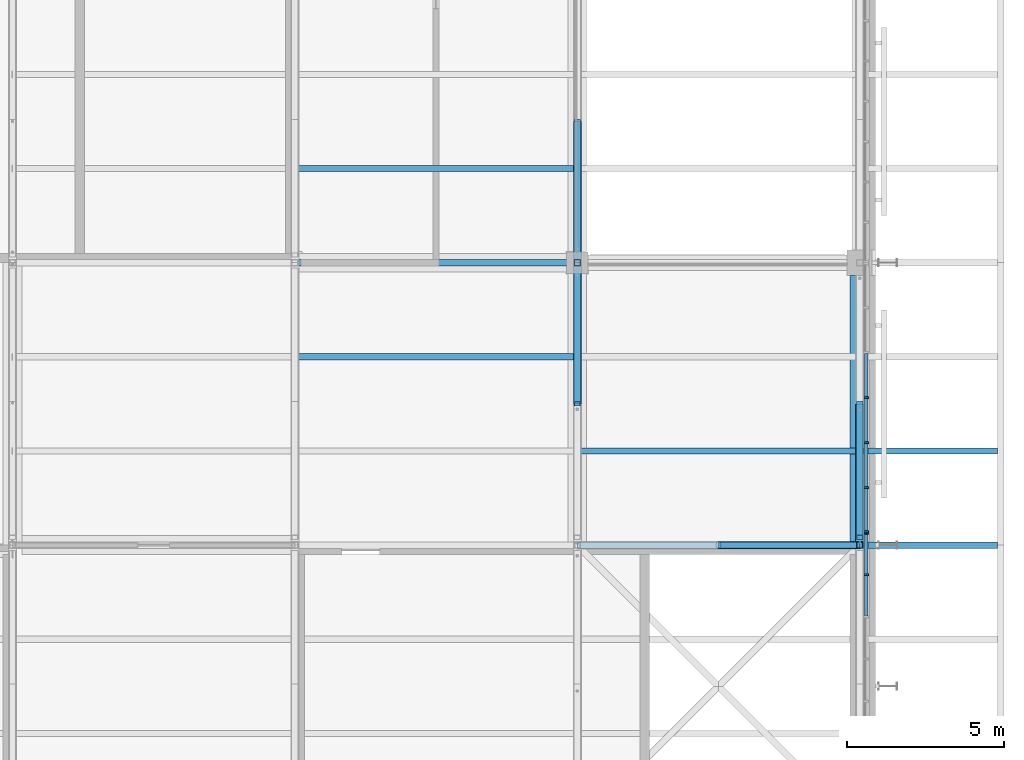
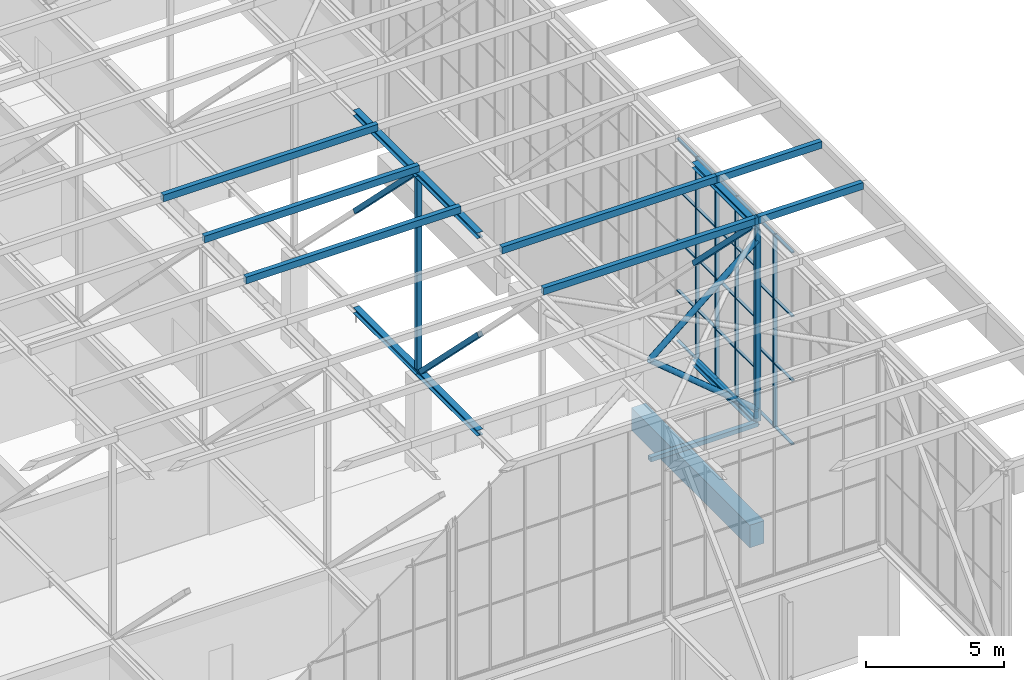
# One storey, part 88 of 646: 57 members, 1 beam, 2 elements without a shape of their own.
"""IFC4 building model written with IfcOpenShell, lengths in metres."""

from ifc_helpers import new_model, si_unit, direction, frame, origin, origin_2d, place, context, subcontext, project, spatial, rectangle, hollow_rectangle, hollow_circle, i_section, extrude, material, material_profile, profile_set, type_object, element, aggregate, save


model = new_model("IFC4")

# Units and contexts
model_context = context("Model", 3, precision=1e-05, world=origin(), true_north=direction((0.0, 1.0)))
body_context = subcontext(model_context, "Body", "Model", "MODEL_VIEW")
ifc_project = project(units=[si_unit("LENGTHUNIT", "METRE"), si_unit("AREAUNIT", "SQUARE_METRE"), si_unit("VOLUMEUNIT", "CUBIC_METRE"), si_unit("PLANEANGLEUNIT", "RADIAN"), si_unit("MASSUNIT", "GRAM", prefix="KILO")], contexts=[model_context])

# Site, building, storey
site_placement = place(None, origin())
site = spatial("IfcSite", under=ifc_project, at=site_placement, CompositionType="ELEMENT")
building_placement = place(site_placement, origin())
building = spatial("IfcBuilding", under=site, at=building_placement, Name="Silverbay Arena", CompositionType="ELEMENT")
storey_placement = place(building_placement, frame((0.0, 0.0, 33.5)))
storey = spatial("IfcBuildingStorey", under=building, at=storey_placement, Name="L05", CompositionType="ELEMENT", Elevation=33.5)

# Member
ifc_material_1 = material(Name="Steel S355", Category="steel")
ifc_material_profile_1 = material_profile(ifc_material_1, hollow_rectangle(XDim=0.199951171875, YDim=0.199951171875, WallThickness=0.008056640625, at=origin_2d()), Name="SHS 200x200x8")
ifc_profile_set_1 = profile_set([ifc_material_profile_1], Name="Steel S355")
member_type_1 = type_object("IfcMemberType", Name="Bracing strut SHS 200x200x8", PredefinedType="STRUT", material=ifc_profile_set_1)
member_1_placement = place(storey_placement, frame((202.5, 27.0, 4.126953125), z_axis=(1.0, 0.0, 0.0), x_axis=(0.0, 1.0, 0.0)))
element("IfcMember", 1, at=member_1_placement, inside=storey, type_object=member_type_1, Name="ROOF BRACING strut 23-24 line 03b", PredefinedType="STRUT", context=body_context, shape_type="SweptSolid", body=[
    extrude(hollow_rectangle(XDim=0.199951171875, YDim=0.199951171875, WallThickness=0.008056640625, at=origin_2d()), origin(), (0.0, 0.0, 1.0), 4.5),
])

# Curtain wall, members
ifc_material_2 = material(Name="Aluminium framed glazing", Category="aluminium")
curtain_wall_type_1 = type_object("IfcCurtainWallType", Name="Curtain wall clerestory 9400 x 8547", PredefinedType="NOTDEFINED", material=ifc_material_2)
curtain_wall_1_placement = place(storey_placement, origin())
curtain_wall_1 = element("IfcCurtainWall", 2, at=curtain_wall_1_placement, inside=storey, type_object=curtain_wall_type_1, Name="ROOF GABLE CLERESTORY CURTAIN WALL east bay 02", PredefinedType="NOTDEFINED")
ifc_material_3 = material(Name="Aluminium", Category="aluminium")
ifc_material_profile_2 = material_profile(ifc_material_3, rectangle(XDim=0.159912109375, YDim=0.06005859375, at=origin_2d()), Name="Mullion 60 x 160")
ifc_profile_set_2 = profile_set([ifc_material_profile_2], Name="Aluminium")
member_type_2 = type_object("IfcMemberType", Name="Mullion 60 x 160", PredefinedType="MULLION", material=ifc_profile_set_2)
member_2_placement = place(storey_placement, frame((207.2099609375, 26.05712890625, 4.453369140625), z_axis=(0.0, 0.0, 1.0), x_axis=(-1.0, 0.0, 0.0)))
member_2 = element("IfcMember", 3, at=member_2_placement, type_object=member_type_2, Name="CW58 mullion 7", PredefinedType="MULLION", context=body_context, shape_type="SweptSolid", body=[
    extrude(rectangle(XDim=0.159912109375, YDim=0.06005859375, at=origin_2d()), origin(), (0.0, 0.0, 1.0), 8.546630859375),
])
member_3_placement = place(storey_placement, frame((207.2099609375, 27.3701171875, 4.453369140625), z_axis=(0.0, 0.0, 1.0), x_axis=(-1.0, 0.0, 0.0)))
member_3 = element("IfcMember", 4, at=member_3_placement, type_object=member_type_2, Name="CW58 mullion 8", PredefinedType="MULLION", context=body_context, shape_type="SweptSolid", body=[
    extrude(rectangle(XDim=0.159912109375, YDim=0.06005859375, at=origin_2d()), origin(), (0.0, 0.0, 1.0), 8.546630859375),
])

ifc_material_4 = material(Name="Aluminium framed glazing", Category="aluminium")
curtain_wall_type_2 = type_object("IfcCurtainWallType", Name="Curtain wall clerestory 8600 x 9000", PredefinedType="NOTDEFINED", material=ifc_material_4)
curtain_wall_2_placement = place(storey_placement, origin())
curtain_wall_2 = element("IfcCurtainWall", 5, at=curtain_wall_2_placement, inside=storey, type_object=curtain_wall_type_2, Name="ROOF GABLE CLERESTORY CURTAIN WALL east bay 03", PredefinedType="NOTDEFINED")
member_4_placement = place(storey_placement, frame((207.2099609375, 27.429931640625, 4.0), z_axis=(0.0, 0.0, 1.0), x_axis=(-1.0, 0.0, 0.0)))
member_4 = element("IfcMember", 6, at=member_4_placement, type_object=member_type_2, Name="CW59 mullion 1", PredefinedType="MULLION", context=body_context, shape_type="SweptSolid", body=[
    extrude(rectangle(XDim=0.159912109375, YDim=0.06005859375, at=origin_2d()), origin(), (0.0, 0.0, 1.0), 9.0),
])
member_5_placement = place(storey_placement, frame((207.2099609375, 28.833251953125, 4.0), z_axis=(0.0, 0.0, 1.0), x_axis=(-1.0, 0.0, 0.0)))
member_5 = element("IfcMember", 7, at=member_5_placement, type_object=member_type_2, Name="CW59 mullion 2", PredefinedType="MULLION", context=body_context, shape_type="SweptSolid", body=[
    extrude(rectangle(XDim=0.159912109375, YDim=0.06005859375, at=origin_2d()), origin(), (0.0, 0.0, 1.0), 9.0),
])
member_6_placement = place(storey_placement, frame((207.2099609375, 30.2666015625, 4.0), z_axis=(0.0, 0.0, 1.0), x_axis=(-1.0, 0.0, 0.0)))
member_6 = element("IfcMember", 8, at=member_6_placement, type_object=member_type_2, Name="CW59 mullion 3", PredefinedType="MULLION", context=body_context, shape_type="SweptSolid", body=[
    extrude(rectangle(XDim=0.159912109375, YDim=0.06005859375, at=origin_2d()), origin(), (0.0, 0.0, 1.0), 9.0),
])
member_7_placement = place(storey_placement, frame((207.2099609375, 31.699951171875, 4.0), z_axis=(0.0, 0.0, 1.0), x_axis=(-1.0, 0.0, 0.0)))
member_7 = element("IfcMember", 9, at=member_7_placement, type_object=member_type_2, Name="CW59 mullion 4", PredefinedType="MULLION", context=body_context, shape_type="SweptSolid", body=[
    extrude(rectangle(XDim=0.159912109375, YDim=0.06005859375, at=origin_2d()), origin(), (0.0, 0.0, 1.0), 9.0),
])

# Members
ifc_material_5 = material(Name="Steel S355", Category="steel")
ifc_material_profile_3 = material_profile(ifc_material_5, hollow_rectangle(XDim=0.199951171875, YDim=0.300048828125, WallThickness=0.00634765625, at=origin_2d()), Name="RHS 300x200x6.3")
ifc_profile_set_3 = profile_set([ifc_material_profile_3], Name="Steel S355")
member_type_3 = type_object("IfcMemberType", Name="Purlin RHS 300x200x6.3", PredefinedType="PURLIN", material=ifc_profile_set_3)
for number, where, z_axis, x_axis, name in (
    (10, (189.0, 33.0, 13.14990234375), (1.0, 0.0, 0.0), (0.0, 1.0, 0.0), "ROOF PURLIN 22-23 line 09"),
    (11, (189.0, 36.0, 13.14990234375), (1.0, 0.0, 0.0), (0.0, 1.0, 0.0), "ROOF PURLIN 22-23 line 10"),
    (12, (189.0, 39.0, 13.14990234375), (1.0, 0.0, 0.0), (0.0, 1.0, 0.0), "ROOF PURLIN 22-23 line 11"),
):
    element("IfcMember", number, at=place(storey_placement, frame(where, z_axis=z_axis, x_axis=x_axis)), inside=storey, type_object=member_type_3, Name=name, PredefinedType="PURLIN", context=body_context, shape_type="SweptSolid", body=[
        extrude(hollow_rectangle(XDim=0.199951171875, YDim=0.300048828125, WallThickness=0.00634765625, at=origin_2d()), origin(), (0.0, 0.0, 1.0), 9.0),
    ])
ifc_material_6 = material(Name="Steel S355", Category="steel")
ifc_material_profile_4 = material_profile(ifc_material_6, hollow_rectangle(XDim=0.199951171875, YDim=0.300048828125, WallThickness=0.008056640625, at=origin_2d()), Name="RHS 300x200x8")
ifc_profile_set_4 = profile_set([ifc_material_profile_4], Name="Steel S355")
member_type_4 = type_object("IfcMemberType", Name="Purlin RHS 300x200x8", PredefinedType="PURLIN", material=ifc_profile_set_4)
for number, where, z_axis, x_axis, name in (
    (13, (198.0, 27.0, 13.14990234375), (1.0, 0.0, 0.0), (0.0, 1.0, 0.0), "ROOF PURLIN 23-24 line 07"),
    (14, (198.0, 30.0, 13.14990234375), (1.0, 0.0, 0.0), (0.0, 1.0, 0.0), "ROOF PURLIN 23-24 line 08"),
):
    element("IfcMember", number, at=place(storey_placement, frame(where, z_axis=z_axis, x_axis=x_axis)), inside=storey, type_object=member_type_4, Name=name, PredefinedType="PURLIN", context=body_context, shape_type="SweptSolid", body=[
        extrude(hollow_rectangle(XDim=0.199951171875, YDim=0.300048828125, WallThickness=0.008056640625, at=origin_2d()), origin(), (0.0, 0.0, 1.0), 9.0),
    ])
for number, where, z_axis, x_axis, name in (
    (15, (211.39990234375, 27.0, 13.14990234375), (-1.0, 0.0, 0.0), (0.0, -1.0, 0.0), "ROOF PURLIN east eave line 07"),
    (16, (211.39990234375, 30.0, 13.14990234375), (-1.0, 0.0, 0.0), (0.0, -1.0, 0.0), "ROOF PURLIN east eave line 08"),
):
    element("IfcMember", number, at=place(storey_placement, frame(where, z_axis=z_axis, x_axis=x_axis)), inside=storey, type_object=member_type_4, Name=name, PredefinedType="PURLIN", context=body_context, shape_type="SweptSolid", body=[
        extrude(hollow_rectangle(XDim=0.199951171875, YDim=0.300048828125, WallThickness=0.008056640625, at=origin_2d()), origin(), (0.0, 0.0, 1.0), 4.39990234375),
    ])

# Beam
ifc_material_7 = material(Name="Concrete Grade C45", Category="concrete")
ifc_material_profile_5 = material_profile(ifc_material_7, rectangle(XDim=0.60009765625, YDim=1.0, at=origin_2d()), Name="RC 600x1000")
ifc_profile_set_5 = profile_set([ifc_material_profile_5], Name="Concrete Grade C45")
beam_type = type_object("IfcBeamType", Name="RC beam 600x1000", PredefinedType="BEAM", material=ifc_profile_set_5)
beam_placement = place(storey_placement, frame((207.0, 27.0, -0.800048828125), z_axis=(0.0, 1.0, 0.0), x_axis=(-1.0, 0.0, 0.0)))
element("IfcBeam", 17, at=beam_placement, inside=storey, type_object=beam_type, Name="Floor beam L05 147", PredefinedType="BEAM", context=body_context, shape_type="SweptSolid", body=[
    extrude(rectangle(XDim=0.60009765625, YDim=1.0, at=origin_2d()), origin(), (0.0, 0.0, 1.0), 8.60009765625),
])

# Members
ifc_material_8 = material(Name="Steel S355", Category="steel")
ifc_material_profile_6 = material_profile(ifc_material_8, i_section(OverallWidth=0.254638671875, OverallDepth=0.254150390625, WebThickness=0.008544921875, FlangeThickness=0.01416015625, at=origin_2d()), Name="UC 254x254x73")
ifc_profile_set_6 = profile_set([ifc_material_profile_6], Name="Steel S355")
member_type_5 = type_object("IfcMemberType", Name="Short-span bottom chord UC 254x254x73", PredefinedType="CHORD", material=ifc_profile_set_6)
for number, where, z_axis, x_axis, name in (
    (18, (198.0, 31.5, 4.126953125), (0.0, 1.0, 0.0), (-1.0, 0.0, 0.0), "ROOF TRUSS 23 bottom chord 03b"),
    (19, (198.0, 36.0, 4.126953125), (0.0, 1.0, 0.0), (-1.0, 0.0, 0.0), "ROOF TRUSS 23 bottom chord 04a"),
    (20, (207.0, 27.0, 4.126953125), (0.0, 1.0, 0.0), (-1.0, 0.0, 0.0), "ROOF TRUSS 24 bottom chord 03a"),
):
    element("IfcMember", number, at=place(storey_placement, frame(where, z_axis=z_axis, x_axis=x_axis)), inside=storey, type_object=member_type_5, Name=name, PredefinedType="CHORD", context=body_context, shape_type="SweptSolid", body=[
        extrude(i_section(OverallWidth=0.254638671875, OverallDepth=0.254150390625, WebThickness=0.008544921875, FlangeThickness=0.01416015625, at=origin_2d()), origin(), (0.0, 0.0, 1.0), 4.5),
    ])
ifc_material_9 = material(Name="Steel S355", Category="steel")
ifc_material_profile_7 = material_profile(ifc_material_9, i_section(OverallWidth=0.254638671875, OverallDepth=0.254150390625, WebThickness=0.008544921875, FlangeThickness=0.01416015625, at=origin_2d()), Name="UC 254x254x73")
ifc_profile_set_7 = profile_set([ifc_material_profile_7], Name="Steel S355")
member_type_6 = type_object("IfcMemberType", Name="Short-span top chord UC 254x254x73", PredefinedType="CHORD", material=ifc_profile_set_7)
for number, where, z_axis, x_axis, name in (
    (21, (198.0, 31.5, 12.873046875), (0.0, 1.0, 0.0), (-1.0, 0.0, 0.0), "ROOF TRUSS 23 top chord 03b"),
    (22, (198.0, 36.0, 12.873046875), (0.0, 1.0, 0.0), (-1.0, 0.0, 0.0), "ROOF TRUSS 23 top chord 04a"),
    (23, (207.0, 27.0, 12.873046875), (0.0, 1.0, 0.0), (-1.0, 0.0, 0.0), "ROOF TRUSS 24 top chord 03a"),
):
    element("IfcMember", number, at=place(storey_placement, frame(where, z_axis=z_axis, x_axis=x_axis)), inside=storey, type_object=member_type_6, Name=name, PredefinedType="CHORD", context=body_context, shape_type="SweptSolid", body=[
        extrude(i_section(OverallWidth=0.254638671875, OverallDepth=0.254150390625, WebThickness=0.008544921875, FlangeThickness=0.01416015625, at=origin_2d()), origin(), (0.0, 0.0, 1.0), 4.5),
    ])
ifc_material_10 = material(Name="Steel S355", Category="steel")
ifc_material_profile_8 = material_profile(ifc_material_10, hollow_rectangle(XDim=0.199951171875, YDim=0.199951171875, WallThickness=0.008056640625, at=origin_2d()), Name="SHS 200x200x8")
ifc_profile_set_8 = profile_set([ifc_material_profile_8], Name="Steel S355")
member_type_7 = type_object("IfcMemberType", Name="Short-span truss diagonal SHS 200x200x8", PredefinedType="BRACE", material=ifc_profile_set_8)
for number, where, z_axis, x_axis, name in (
    (24, (198.0, 31.5, 8.5), (0.0, 0.70781724692, -0.706395600894), (-1.0, 0.0, 0.0), "ROOF TRUSS 23 diagonal 03b"),
    (25, (198.0, 36.24560546875, 12.745849609375), (0.0, 0.70781724692, -0.706395600894), (-1.0, 0.0, 0.0), "ROOF TRUSS 23 diagonal 04a"),
    (26, (207.0, 27.24560546875, 12.745849609375), (0.0, 0.70781724692, -0.706395600894), (-1.0, 0.0, 0.0), "ROOF TRUSS 24 diagonal 03a"),
):
    element("IfcMember", number, at=place(storey_placement, frame(where, z_axis=z_axis, x_axis=x_axis)), inside=storey, type_object=member_type_7, Name=name, PredefinedType="BRACE", context=body_context, shape_type="SweptSolid", body=[
        extrude(hollow_rectangle(XDim=0.199951171875, YDim=0.199951171875, WallThickness=0.008056640625, at=origin_2d()), origin(), (0.0, 0.0, 1.0), 6.010498046875),
    ])
ifc_material_11 = material(Name="Steel S355", Category="steel")
ifc_material_profile_9 = material_profile(ifc_material_11, hollow_rectangle(XDim=0.199951171875, YDim=0.199951171875, WallThickness=0.008056640625, at=origin_2d()), Name="SHS 200x200x8")
ifc_profile_set_9 = profile_set([ifc_material_profile_9], Name="Steel S355")
member_type_8 = type_object("IfcMemberType", Name="Short-span truss vertical SHS 200x200x8", PredefinedType="STRUT", material=ifc_profile_set_9)
for number, where, z_axis, x_axis, name in (
    (27, (198.0, 36.0, 4.254150390625), (0.0, 0.0, 1.0), (1.0, 0.0, 0.0), "ROOF TRUSS 23 vertical 04a"),
    (28, (198.0, 36.0, 8.5), (0.0, 0.0, 1.0), (1.0, 0.0, 0.0), "ROOF TRUSS 23 vertical 04b"),
    (29, (207.0, 27.0, 4.254150390625), (0.0, 0.0, 1.0), (1.0, 0.0, 0.0), "ROOF TRUSS 24 vertical 03a"),
    (30, (207.0, 27.0, 8.5), (0.0, 0.0, 1.0), (1.0, 0.0, 0.0), "ROOF TRUSS 24 vertical 03b"),
):
    element("IfcMember", number, at=place(storey_placement, frame(where, z_axis=z_axis, x_axis=x_axis)), inside=storey, type_object=member_type_8, Name=name, PredefinedType="STRUT", context=body_context, shape_type="SweptSolid", body=[
        extrude(hollow_rectangle(XDim=0.199951171875, YDim=0.199951171875, WallThickness=0.008056640625, at=origin_2d()), origin(), (0.0, 0.0, 1.0), 4.245849609375),
    ])

# Member
ifc_material_12 = material(Name="Aluminium", Category="aluminium")
ifc_material_profile_10 = material_profile(ifc_material_12, rectangle(XDim=0.1201171875, YDim=0.050048828125, at=origin_2d()), Name="Transom 50 x 120")
ifc_profile_set_10 = profile_set([ifc_material_profile_10], Name="Aluminium")
member_type_9 = type_object("IfcMemberType", Name="Transom 50 x 120", PredefinedType="USERDEFINED", material=ifc_profile_set_10)
member_8_placement = place(storey_placement, frame((207.2099609375, 24.744384765625, 4.478515625), z_axis=(0.0, 1.0, 0.0), x_axis=(-1.0, 0.0, 0.0)))
member_8 = element("IfcMember", 31, at=member_8_placement, type_object=member_type_9, Name="CW58 transom 6.1", ObjectType="TRANSOM", PredefinedType="USERDEFINED", context=body_context, shape_type="SweptSolid", body=[
    extrude(rectangle(XDim=0.1201171875, YDim=0.050048828125, at=origin_2d()), origin(), (0.0, 0.0, 1.0), 1.28271484375),
])

member_9_placement = place(storey_placement, frame((207.2099609375, 24.744384765625, 7.30224609375), z_axis=(0.0, 1.0, 0.0), x_axis=(-1.0, 0.0, 0.0)))
member_9 = element("IfcMember", 32, at=member_9_placement, type_object=member_type_9, Name="CW58 transom 6.2", ObjectType="TRANSOM", PredefinedType="USERDEFINED", context=body_context, shape_type="SweptSolid", body=[
    extrude(rectangle(XDim=0.1201171875, YDim=0.050048828125, at=origin_2d()), origin(), (0.0, 0.0, 1.0), 1.28271484375),
])

member_10_placement = place(storey_placement, frame((207.2099609375, 24.744384765625, 10.151123046875), z_axis=(0.0, 1.0, 0.0), x_axis=(-1.0, 0.0, 0.0)))
member_10 = element("IfcMember", 33, at=member_10_placement, type_object=member_type_9, Name="CW58 transom 6.3", ObjectType="TRANSOM", PredefinedType="USERDEFINED", context=body_context, shape_type="SweptSolid", body=[
    extrude(rectangle(XDim=0.1201171875, YDim=0.050048828125, at=origin_2d()), origin(), (0.0, 0.0, 1.0), 1.28271484375),
])

member_11_placement = place(storey_placement, frame((207.2099609375, 24.744384765625, 12.97509765625), z_axis=(0.0, 1.0, 0.0), x_axis=(-1.0, 0.0, 0.0)))
member_11 = element("IfcMember", 34, at=member_11_placement, type_object=member_type_9, Name="CW58 transom 6.4", ObjectType="TRANSOM", PredefinedType="USERDEFINED", context=body_context, shape_type="SweptSolid", body=[
    extrude(rectangle(XDim=0.1201171875, YDim=0.050048828125, at=origin_2d()), origin(), (0.0, 0.0, 1.0), 1.28271484375),
])

member_12_placement = place(storey_placement, frame((207.2099609375, 26.087158203125, 4.478515625), z_axis=(0.0, 1.0, 0.0), x_axis=(-1.0, 0.0, 0.0)))
member_12 = element("IfcMember", 35, at=member_12_placement, type_object=member_type_9, Name="CW58 transom 7.1", ObjectType="TRANSOM", PredefinedType="USERDEFINED", context=body_context, shape_type="SweptSolid", body=[
    extrude(rectangle(XDim=0.1201171875, YDim=0.050048828125, at=origin_2d()), origin(), (0.0, 0.0, 1.0), 1.2529296875),
])

member_13_placement = place(storey_placement, frame((207.2099609375, 26.087158203125, 7.30224609375), z_axis=(0.0, 1.0, 0.0), x_axis=(-1.0, 0.0, 0.0)))
member_13 = element("IfcMember", 36, at=member_13_placement, type_object=member_type_9, Name="CW58 transom 7.2", ObjectType="TRANSOM", PredefinedType="USERDEFINED", context=body_context, shape_type="SweptSolid", body=[
    extrude(rectangle(XDim=0.1201171875, YDim=0.050048828125, at=origin_2d()), origin(), (0.0, 0.0, 1.0), 1.2529296875),
])

member_14_placement = place(storey_placement, frame((207.2099609375, 26.087158203125, 10.151123046875), z_axis=(0.0, 1.0, 0.0), x_axis=(-1.0, 0.0, 0.0)))
member_14 = element("IfcMember", 37, at=member_14_placement, type_object=member_type_9, Name="CW58 transom 7.3", ObjectType="TRANSOM", PredefinedType="USERDEFINED", context=body_context, shape_type="SweptSolid", body=[
    extrude(rectangle(XDim=0.1201171875, YDim=0.050048828125, at=origin_2d()), origin(), (0.0, 0.0, 1.0), 1.2529296875),
])

member_15_placement = place(storey_placement, frame((207.2099609375, 26.087158203125, 12.97509765625), z_axis=(0.0, 1.0, 0.0), x_axis=(-1.0, 0.0, 0.0)))
member_15 = element("IfcMember", 38, at=member_15_placement, type_object=member_type_9, Name="CW58 transom 7.4", ObjectType="TRANSOM", PredefinedType="USERDEFINED", context=body_context, shape_type="SweptSolid", body=[
    extrude(rectangle(XDim=0.1201171875, YDim=0.050048828125, at=origin_2d()), origin(), (0.0, 0.0, 1.0), 1.2529296875),
])

aggregate(curtain_wall_1, [member_2, member_3, member_8, member_9, member_10, member_11, member_12, member_13, member_14, member_15])

member_16_placement = place(storey_placement, frame((207.2099609375, 27.4599609375, 4.02490234375), z_axis=(0.0, 1.0, 0.0), x_axis=(-1.0, 0.0, 0.0)))
member_16 = element("IfcMember", 39, at=member_16_placement, type_object=member_type_9, Name="CW59 transom 1.1", ObjectType="TRANSOM", PredefinedType="USERDEFINED", context=body_context, shape_type="SweptSolid", body=[
    extrude(rectangle(XDim=0.1201171875, YDim=0.050048828125, at=origin_2d()), origin(), (0.0, 0.0, 1.0), 1.34326171875),
])

member_17_placement = place(storey_placement, frame((207.2099609375, 27.4599609375, 6.25), z_axis=(0.0, 1.0, 0.0), x_axis=(-1.0, 0.0, 0.0)))
member_17 = element("IfcMember", 40, at=member_17_placement, type_object=member_type_9, Name="CW59 transom 1.2", ObjectType="TRANSOM", PredefinedType="USERDEFINED", context=body_context, shape_type="SweptSolid", body=[
    extrude(rectangle(XDim=0.1201171875, YDim=0.050048828125, at=origin_2d()), origin(), (0.0, 0.0, 1.0), 1.34326171875),
])

member_18_placement = place(storey_placement, frame((207.2099609375, 27.4599609375, 8.5), z_axis=(0.0, 1.0, 0.0), x_axis=(-1.0, 0.0, 0.0)))
member_18 = element("IfcMember", 41, at=member_18_placement, type_object=member_type_9, Name="CW59 transom 1.3", ObjectType="TRANSOM", PredefinedType="USERDEFINED", context=body_context, shape_type="SweptSolid", body=[
    extrude(rectangle(XDim=0.1201171875, YDim=0.050048828125, at=origin_2d()), origin(), (0.0, 0.0, 1.0), 1.34326171875),
])

member_19_placement = place(storey_placement, frame((207.2099609375, 27.4599609375, 10.75), z_axis=(0.0, 1.0, 0.0), x_axis=(-1.0, 0.0, 0.0)))
member_19 = element("IfcMember", 42, at=member_19_placement, type_object=member_type_9, Name="CW59 transom 1.4", ObjectType="TRANSOM", PredefinedType="USERDEFINED", context=body_context, shape_type="SweptSolid", body=[
    extrude(rectangle(XDim=0.1201171875, YDim=0.050048828125, at=origin_2d()), origin(), (0.0, 0.0, 1.0), 1.34326171875),
])

member_20_placement = place(storey_placement, frame((207.2099609375, 27.4599609375, 12.97509765625), z_axis=(0.0, 1.0, 0.0), x_axis=(-1.0, 0.0, 0.0)))
member_20 = element("IfcMember", 43, at=member_20_placement, type_object=member_type_9, Name="CW59 transom 1.5", ObjectType="TRANSOM", PredefinedType="USERDEFINED", context=body_context, shape_type="SweptSolid", body=[
    extrude(rectangle(XDim=0.1201171875, YDim=0.050048828125, at=origin_2d()), origin(), (0.0, 0.0, 1.0), 1.34326171875),
])

member_21_placement = place(storey_placement, frame((207.2099609375, 28.86328125, 4.02490234375), z_axis=(0.0, 1.0, 0.0), x_axis=(-1.0, 0.0, 0.0)))
member_21 = element("IfcMember", 44, at=member_21_placement, type_object=member_type_9, Name="CW59 transom 2.1", ObjectType="TRANSOM", PredefinedType="USERDEFINED", context=body_context, shape_type="SweptSolid", body=[
    extrude(rectangle(XDim=0.1201171875, YDim=0.050048828125, at=origin_2d()), origin(), (0.0, 0.0, 1.0), 1.373291015625),
])

member_22_placement = place(storey_placement, frame((207.2099609375, 28.86328125, 6.25), z_axis=(0.0, 1.0, 0.0), x_axis=(-1.0, 0.0, 0.0)))
member_22 = element("IfcMember", 45, at=member_22_placement, type_object=member_type_9, Name="CW59 transom 2.2", ObjectType="TRANSOM", PredefinedType="USERDEFINED", context=body_context, shape_type="SweptSolid", body=[
    extrude(rectangle(XDim=0.1201171875, YDim=0.050048828125, at=origin_2d()), origin(), (0.0, 0.0, 1.0), 1.373291015625),
])

member_23_placement = place(storey_placement, frame((207.2099609375, 28.86328125, 8.5), z_axis=(0.0, 1.0, 0.0), x_axis=(-1.0, 0.0, 0.0)))
member_23 = element("IfcMember", 46, at=member_23_placement, type_object=member_type_9, Name="CW59 transom 2.3", ObjectType="TRANSOM", PredefinedType="USERDEFINED", context=body_context, shape_type="SweptSolid", body=[
    extrude(rectangle(XDim=0.1201171875, YDim=0.050048828125, at=origin_2d()), origin(), (0.0, 0.0, 1.0), 1.373291015625),
])

member_24_placement = place(storey_placement, frame((207.2099609375, 28.86328125, 10.75), z_axis=(0.0, 1.0, 0.0), x_axis=(-1.0, 0.0, 0.0)))
member_24 = element("IfcMember", 47, at=member_24_placement, type_object=member_type_9, Name="CW59 transom 2.4", ObjectType="TRANSOM", PredefinedType="USERDEFINED", context=body_context, shape_type="SweptSolid", body=[
    extrude(rectangle(XDim=0.1201171875, YDim=0.050048828125, at=origin_2d()), origin(), (0.0, 0.0, 1.0), 1.373291015625),
])

member_25_placement = place(storey_placement, frame((207.2099609375, 28.86328125, 12.97509765625), z_axis=(0.0, 1.0, 0.0), x_axis=(-1.0, 0.0, 0.0)))
member_25 = element("IfcMember", 48, at=member_25_placement, type_object=member_type_9, Name="CW59 transom 2.5", ObjectType="TRANSOM", PredefinedType="USERDEFINED", context=body_context, shape_type="SweptSolid", body=[
    extrude(rectangle(XDim=0.1201171875, YDim=0.050048828125, at=origin_2d()), origin(), (0.0, 0.0, 1.0), 1.373291015625),
])

member_26_placement = place(storey_placement, frame((207.2099609375, 30.296630859375, 4.02490234375), z_axis=(0.0, 1.0, 0.0), x_axis=(-1.0, 0.0, 0.0)))
member_26 = element("IfcMember", 49, at=member_26_placement, type_object=member_type_9, Name="CW59 transom 3.1", ObjectType="TRANSOM", PredefinedType="USERDEFINED", context=body_context, shape_type="SweptSolid", body=[
    extrude(rectangle(XDim=0.1201171875, YDim=0.050048828125, at=origin_2d()), origin(), (0.0, 0.0, 1.0), 1.373291015625),
])

member_27_placement = place(storey_placement, frame((207.2099609375, 30.296630859375, 6.25), z_axis=(0.0, 1.0, 0.0), x_axis=(-1.0, 0.0, 0.0)))
member_27 = element("IfcMember", 50, at=member_27_placement, type_object=member_type_9, Name="CW59 transom 3.2", ObjectType="TRANSOM", PredefinedType="USERDEFINED", context=body_context, shape_type="SweptSolid", body=[
    extrude(rectangle(XDim=0.1201171875, YDim=0.050048828125, at=origin_2d()), origin(), (0.0, 0.0, 1.0), 1.373291015625),
])

member_28_placement = place(storey_placement, frame((207.2099609375, 30.296630859375, 8.5), z_axis=(0.0, 1.0, 0.0), x_axis=(-1.0, 0.0, 0.0)))
member_28 = element("IfcMember", 51, at=member_28_placement, type_object=member_type_9, Name="CW59 transom 3.3", ObjectType="TRANSOM", PredefinedType="USERDEFINED", context=body_context, shape_type="SweptSolid", body=[
    extrude(rectangle(XDim=0.1201171875, YDim=0.050048828125, at=origin_2d()), origin(), (0.0, 0.0, 1.0), 1.373291015625),
])

member_29_placement = place(storey_placement, frame((207.2099609375, 30.296630859375, 10.75), z_axis=(0.0, 1.0, 0.0), x_axis=(-1.0, 0.0, 0.0)))
member_29 = element("IfcMember", 52, at=member_29_placement, type_object=member_type_9, Name="CW59 transom 3.4", ObjectType="TRANSOM", PredefinedType="USERDEFINED", context=body_context, shape_type="SweptSolid", body=[
    extrude(rectangle(XDim=0.1201171875, YDim=0.050048828125, at=origin_2d()), origin(), (0.0, 0.0, 1.0), 1.373291015625),
])

member_30_placement = place(storey_placement, frame((207.2099609375, 30.296630859375, 12.97509765625), z_axis=(0.0, 1.0, 0.0), x_axis=(-1.0, 0.0, 0.0)))
member_30 = element("IfcMember", 53, at=member_30_placement, type_object=member_type_9, Name="CW59 transom 3.5", ObjectType="TRANSOM", PredefinedType="USERDEFINED", context=body_context, shape_type="SweptSolid", body=[
    extrude(rectangle(XDim=0.1201171875, YDim=0.050048828125, at=origin_2d()), origin(), (0.0, 0.0, 1.0), 1.373291015625),
])

member_31_placement = place(storey_placement, frame((207.2099609375, 31.72998046875, 4.02490234375), z_axis=(0.0, 1.0, 0.0), x_axis=(-1.0, 0.0, 0.0)))
member_31 = element("IfcMember", 54, at=member_31_placement, type_object=member_type_9, Name="CW59 transom 4.1", ObjectType="TRANSOM", PredefinedType="USERDEFINED", context=body_context, shape_type="SweptSolid", body=[
    extrude(rectangle(XDim=0.1201171875, YDim=0.050048828125, at=origin_2d()), origin(), (0.0, 0.0, 1.0), 1.373291015625),
])

member_32_placement = place(storey_placement, frame((207.2099609375, 31.72998046875, 6.25), z_axis=(0.0, 1.0, 0.0), x_axis=(-1.0, 0.0, 0.0)))
member_32 = element("IfcMember", 55, at=member_32_placement, type_object=member_type_9, Name="CW59 transom 4.2", ObjectType="TRANSOM", PredefinedType="USERDEFINED", context=body_context, shape_type="SweptSolid", body=[
    extrude(rectangle(XDim=0.1201171875, YDim=0.050048828125, at=origin_2d()), origin(), (0.0, 0.0, 1.0), 1.373291015625),
])

member_33_placement = place(storey_placement, frame((207.2099609375, 31.72998046875, 8.5), z_axis=(0.0, 1.0, 0.0), x_axis=(-1.0, 0.0, 0.0)))
member_33 = element("IfcMember", 56, at=member_33_placement, type_object=member_type_9, Name="CW59 transom 4.3", ObjectType="TRANSOM", PredefinedType="USERDEFINED", context=body_context, shape_type="SweptSolid", body=[
    extrude(rectangle(XDim=0.1201171875, YDim=0.050048828125, at=origin_2d()), origin(), (0.0, 0.0, 1.0), 1.373291015625),
])

member_34_placement = place(storey_placement, frame((207.2099609375, 31.72998046875, 10.75), z_axis=(0.0, 1.0, 0.0), x_axis=(-1.0, 0.0, 0.0)))
member_34 = element("IfcMember", 57, at=member_34_placement, type_object=member_type_9, Name="CW59 transom 4.4", ObjectType="TRANSOM", PredefinedType="USERDEFINED", context=body_context, shape_type="SweptSolid", body=[
    extrude(rectangle(XDim=0.1201171875, YDim=0.050048828125, at=origin_2d()), origin(), (0.0, 0.0, 1.0), 1.373291015625),
])

member_35_placement = place(storey_placement, frame((207.2099609375, 31.72998046875, 12.97509765625), z_axis=(0.0, 1.0, 0.0), x_axis=(-1.0, 0.0, 0.0)))
member_35 = element("IfcMember", 58, at=member_35_placement, type_object=member_type_9, Name="CW59 transom 4.5", ObjectType="TRANSOM", PredefinedType="USERDEFINED", context=body_context, shape_type="SweptSolid", body=[
    extrude(rectangle(XDim=0.1201171875, YDim=0.050048828125, at=origin_2d()), origin(), (0.0, 0.0, 1.0), 1.373291015625),
])

aggregate(curtain_wall_2, [member_4, member_5, member_6, member_7, member_16, member_17, member_18, member_19, member_20, member_21, member_22, member_23, member_24, member_25, member_26, member_27, member_28, member_29, member_30, member_31, member_32, member_33, member_34, member_35])

# Members
ifc_material_13 = material(Name="Steel S355", Category="steel")
ifc_material_profile_11 = material_profile(ifc_material_13, hollow_circle(Radius=0.122314453125, WallThickness=0.00634765625, at=origin_2d()), Name="CHS 244.5x6.3")
ifc_profile_set_11 = profile_set([ifc_material_profile_11], Name="Steel S355")
member_type_10 = type_object("IfcMemberType", Name="Vertical bracing CHS 244.5x6.3", PredefinedType="BRACE", material=ifc_profile_set_11)
for number, where, z_axis, x_axis, name in (
    (59, (202.5, 27.0, 8.5), (0.768569784798, 0.0, 0.639765961814), (0.0, 1.0, 0.0), "ROOF BRACING vertical 23-24 line 03 Ab"),
    (60, (202.5, 27.0, 8.5), (0.768569784798, 0.0, -0.639765961814), (0.0, 1.0, 0.0), "ROOF BRACING vertical 23-24 line 03 Bb"),
):
    element("IfcMember", number, at=place(storey_placement, frame(where, z_axis=z_axis, x_axis=x_axis)), inside=storey, type_object=member_type_10, Name=name, PredefinedType="BRACE", context=body_context, shape_type="SweptSolid", body=[
        extrude(hollow_circle(Radius=0.122314453125, WallThickness=0.00634765625, at=origin_2d()), origin(), (0.0, 0.0, 1.0), 5.85498046875),
    ])

save(model, "model.ifc")
